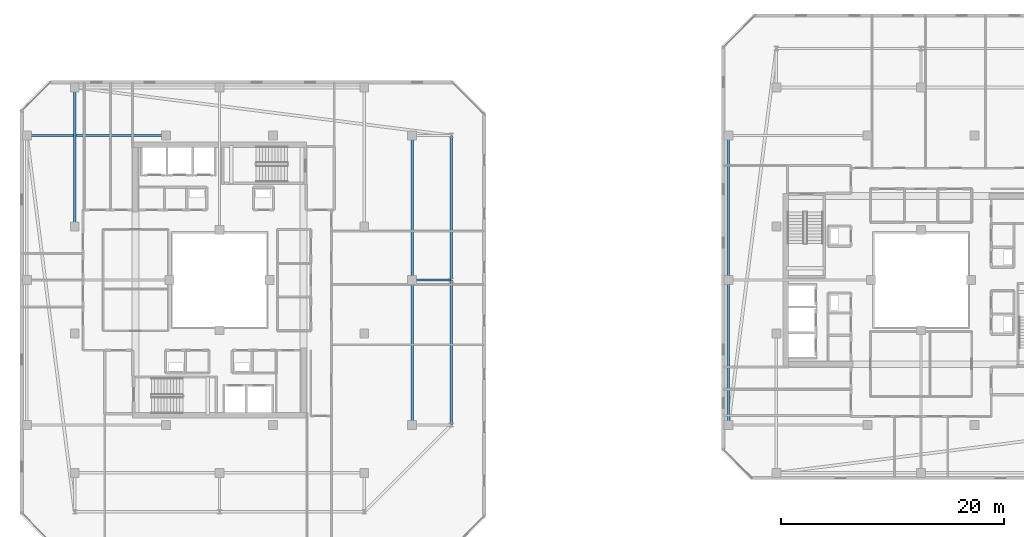
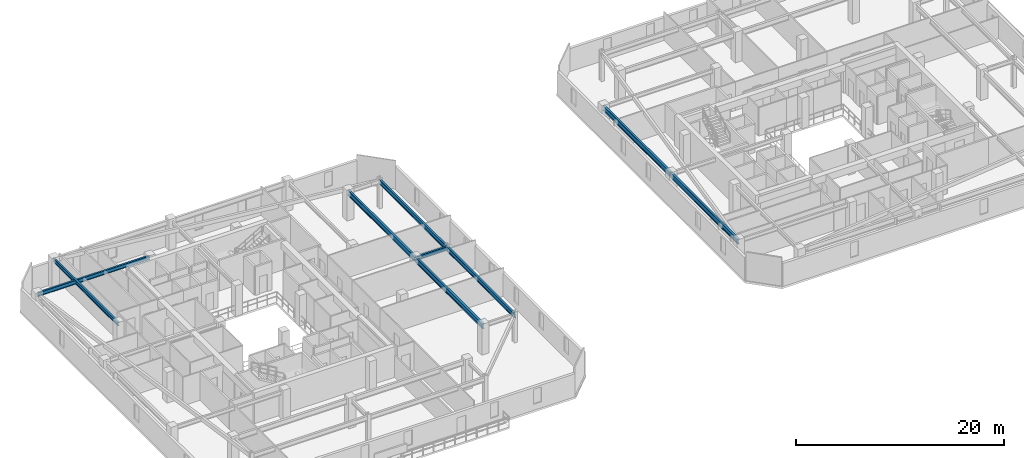
# One storey, part 9 of 35: 9 beams.
"""IFC4 building model written with IfcOpenShell, lengths in metres."""

from ifc_helpers import new_model, si_unit, direction, frame, origin, origin_2d, place, context, subcontext, project, spatial, i_section, extrude, material, material_profile, profile_set, type_object, element, save


model = new_model("IFC4")

# Units and contexts
model_context = context("Model", 3, precision=1e-05, world=origin(), true_north=direction((0.0, 1.0)))
body_context = subcontext(model_context, "Body", "Model", "MODEL_VIEW")
ifc_project = project(units=[si_unit("LENGTHUNIT", "METRE"), si_unit("AREAUNIT", "SQUARE_METRE"), si_unit("VOLUMEUNIT", "CUBIC_METRE"), si_unit("PLANEANGLEUNIT", "RADIAN"), si_unit("MASSUNIT", "GRAM", prefix="KILO")], contexts=[model_context])

# Site, building, storey
site_placement = place(None, origin())
site = spatial("IfcSite", under=ifc_project, at=site_placement, CompositionType="ELEMENT")
building_placement = place(site_placement, origin())
building = spatial("IfcBuilding", under=site, at=building_placement, Name="Thornwick Lancets Civic Towers", CompositionType="ELEMENT")
storey_placement = place(building_placement, frame((0.0, 0.0, 272.699951171875)))
storey = spatial("IfcBuildingStorey", under=building, at=storey_placement, Name="L73", CompositionType="ELEMENT", Elevation=272.699951171875)

# Beams
ifc_material = material(Name="Steel S355JR", Category="steel")
ifc_material_profile_1 = material_profile(ifc_material, i_section(OverallWidth=0.210693359375, OverallDepth=0.53955078125, WebThickness=0.01171875, FlangeThickness=0.018798828125, FilletRadius=0.0126953125, at=origin_2d()), Name="UKB 533x210x109")
ifc_profile_set_1 = profile_set([ifc_material_profile_1], Name="Steel S355JR")
beam_type_1 = type_object("IfcBeamType", Name="BM_EDGE_533_109", PredefinedType="SPANDREL", material=ifc_profile_set_1)
beam_1_placement = place(storey_placement, frame((46.300048828125, 14.0, 3.09033203125), z_axis=(0.0, 1.0, 0.0), x_axis=(-1.0, 0.0, 0.0)))
element("IfcBeam", 1, at=beam_1_placement, inside=storey, type_object=beam_type_1, Name="BM-EDGE-L73-A-S1-1", PredefinedType="SPANDREL", context=body_context, shape_type="SweptSolid", body=[
    extrude(i_section(OverallWidth=0.210693359375, OverallDepth=0.53955078125, WebThickness=0.01171875, FlangeThickness=0.018798828125, FilletRadius=0.0126953125, at=origin_2d()), origin(), (0.0, 0.0, 1.0), 13.0),
])
beam_2_placement = place(storey_placement, frame((46.300048828125, 27.080078125, 3.09033203125), z_axis=(0.0, 1.0, 0.0), x_axis=(-1.0, 0.0, 0.0)))
element("IfcBeam", 2, at=beam_2_placement, inside=storey, type_object=beam_type_1, Name="BM-EDGE-L73-A-S1-2", PredefinedType="SPANDREL", context=body_context, shape_type="SweptSolid", body=[
    extrude(i_section(OverallWidth=0.210693359375, OverallDepth=0.53955078125, WebThickness=0.01171875, FlangeThickness=0.018798828125, FilletRadius=0.0126953125, at=origin_2d()), origin(), (0.0, 0.0, 1.0), 12.919921875),
])
ifc_material_profile_2 = material_profile(ifc_material, i_section(OverallWidth=0.230224609375, OverallDepth=0.6171875, WebThickness=0.01318359375, FlangeThickness=0.022216796875, FilletRadius=0.0126953125, at=origin_2d()), Name="UKB 610x229x140")
ifc_profile_set_2 = profile_set([ifc_material_profile_2], Name="Steel S355JR")
beam_type_2 = type_object("IfcBeamType", Name="BM_GIRD_610_140", PredefinedType="BEAM", material=ifc_profile_set_2)
beam_3_placement = place(storey_placement, frame((42.800048828125, 14.0, 3.051513671875), z_axis=(0.0, 1.0, 0.0), x_axis=(-1.0, 0.0, 0.0)))
element("IfcBeam", 3, at=beam_3_placement, inside=storey, type_object=beam_type_2, Name="BM-SPINE-L73-A-3-4", PredefinedType="BEAM", context=body_context, shape_type="SweptSolid", body=[
    extrude(i_section(OverallWidth=0.230224609375, OverallDepth=0.6171875, WebThickness=0.01318359375, FlangeThickness=0.022216796875, FilletRadius=0.0126953125, at=origin_2d()), origin(), (0.0, 0.0, 1.0), 13.0),
])
beam_4_placement = place(storey_placement, frame((42.800048828125, 27.080078125, 3.051513671875), z_axis=(0.0, 1.0, 0.0), x_axis=(-1.0, 0.0, 0.0)))
element("IfcBeam", 4, at=beam_4_placement, inside=storey, type_object=beam_type_2, Name="BM-SPINE-L73-A-4-5", PredefinedType="BEAM", context=body_context, shape_type="SweptSolid", body=[
    extrude(i_section(OverallWidth=0.230224609375, OverallDepth=0.6171875, WebThickness=0.01318359375, FlangeThickness=0.022216796875, FilletRadius=0.0126953125, at=origin_2d()), origin(), (0.0, 0.0, 1.0), 12.919921875),
])
beam_5_placement = place(storey_placement, frame((71.199951171875, 14.0, 3.051513671875), z_axis=(0.0, 1.0, 0.0), x_axis=(-1.0, 0.0, 0.0)))
element("IfcBeam", 5, at=beam_5_placement, inside=storey, type_object=beam_type_2, Name="BM-SPINE-L73-B-6-7", PredefinedType="BEAM", context=body_context, shape_type="SweptSolid", body=[
    extrude(i_section(OverallWidth=0.230224609375, OverallDepth=0.6171875, WebThickness=0.01318359375, FlangeThickness=0.022216796875, FilletRadius=0.0126953125, at=origin_2d()), origin(), (0.0, 0.0, 1.0), 13.0),
])
beam_6_placement = place(storey_placement, frame((71.199951171875, 27.080078125, 3.051513671875), z_axis=(0.0, 1.0, 0.0), x_axis=(-1.0, 0.0, 0.0)))
element("IfcBeam", 6, at=beam_6_placement, inside=storey, type_object=beam_type_2, Name="BM-SPINE-L73-B-7-8", PredefinedType="BEAM", context=body_context, shape_type="SweptSolid", body=[
    extrude(i_section(OverallWidth=0.230224609375, OverallDepth=0.6171875, WebThickness=0.01318359375, FlangeThickness=0.022216796875, FilletRadius=0.0126953125, at=origin_2d()), origin(), (0.0, 0.0, 1.0), 12.919921875),
])
ifc_material_profile_3 = material_profile(ifc_material, i_section(OverallWidth=0.19189453125, OverallDepth=0.46337890625, WebThickness=0.010498046875, FlangeThickness=0.017578125, FilletRadius=0.01025390625, at=origin_2d()), Name="UKB 457x191x89")
ifc_profile_set_3 = profile_set([ifc_material_profile_3], Name="Steel S355JR")
beam_type_3 = type_object("IfcBeamType", Name="BM_JOIST_457_89", PredefinedType="JOIST", material=ifc_profile_set_3)
beam_7_placement = place(storey_placement, frame((42.800048828125, 27.0, 3.12841796875), z_axis=(1.0, 0.0, 0.0), x_axis=(0.0, 1.0, 0.0)))
element("IfcBeam", 7, at=beam_7_placement, inside=storey, type_object=beam_type_3, Name="BM-RAD-L73-A05", PredefinedType="JOIST", context=body_context, shape_type="SweptSolid", body=[
    extrude(i_section(OverallWidth=0.19189453125, OverallDepth=0.46337890625, WebThickness=0.010498046875, FlangeThickness=0.017578125, FilletRadius=0.01025390625, at=origin_2d()), origin(), (0.0, 0.0, 1.0), 3.5),
])
for number, where, z_axis, x_axis, name in (
    (8, (12.5, 31.800048828125, 3.12841796875), (0.0, 1.0, 0.0), (-1.0, 0.0, 0.0), "BM-RADIN-L73-A07"),
    (9, (20.699951171875, 40.0, 3.12841796875), (-1.0, 0.0, 0.0), (0.0, -1.0, 0.0), "BM-RADIN-L73-A12"),
):
    element("IfcBeam", number, at=place(storey_placement, frame(where, z_axis=z_axis, x_axis=x_axis)), inside=storey, type_object=beam_type_3, Name=name, PredefinedType="JOIST", context=body_context, shape_type="SweptSolid", body=[
        extrude(i_section(OverallWidth=0.19189453125, OverallDepth=0.46337890625, WebThickness=0.010498046875, FlangeThickness=0.017578125, FilletRadius=0.01025390625, at=origin_2d()), origin(), (0.0, 0.0, 1.0), 12.5),
    ])

save(model, "model.ifc")
